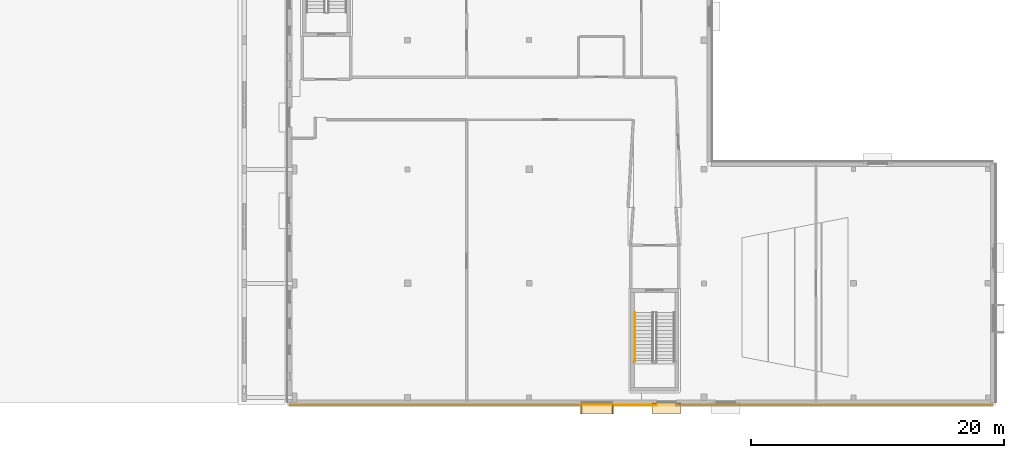
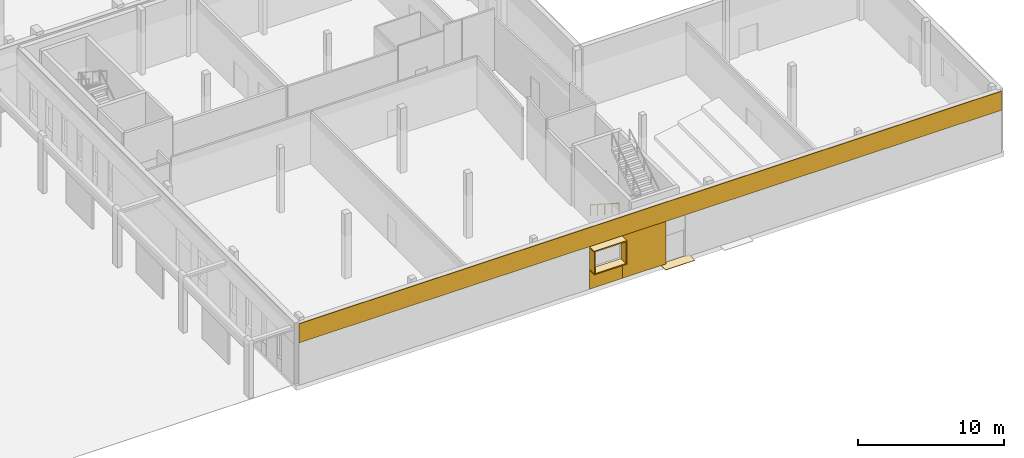
# One storey, part 77 of 84: 8 coverings, 1 railing.
"""IFC4 building model written with IfcOpenShell, lengths in metres."""

from ifc_helpers import new_model, si_unit, direction, frame, origin, origin_2d, place, context, subcontext, project, spatial, rectangle, circle, extrude, material, layer, layer_set, type_object, element, save


model = new_model("IFC4")

# Units and contexts
model_context = context("Model", 3, precision=1e-05, world=origin(), true_north=direction((0.0, 1.0)))
body_context = subcontext(model_context, "Body", "Model", "MODEL_VIEW")
ifc_project = project(units=[si_unit("LENGTHUNIT", "METRE"), si_unit("AREAUNIT", "SQUARE_METRE"), si_unit("VOLUMEUNIT", "CUBIC_METRE"), si_unit("PLANEANGLEUNIT", "RADIAN"), si_unit("MASSUNIT", "GRAM", prefix="KILO")], contexts=[model_context])

# Site, building, storey
site_placement = place(None, origin())
site = spatial("IfcSite", under=ifc_project, at=site_placement, CompositionType="ELEMENT")
building_placement = place(site_placement, origin())
building = spatial("IfcBuilding", under=site, at=building_placement, Name="Mzevani Central Library", CompositionType="ELEMENT")
storey_placement = place(building_placement, origin())
storey = spatial("IfcBuildingStorey", under=building, at=storey_placement, Name="L00", CompositionType="ELEMENT", Elevation=0.0)

# Coverings
ifc_material_1 = material(Name="Limestone ashlar cladding", Category="masonry")
ifc_layer_1 = layer(ifc_material_1, 0.050048828125, Name="Limestone Ashlar Spandrel Cladding")
ifc_layer_set_1 = layer_set([ifc_layer_1], Name="Limestone ashlar cladding")
covering_type_1 = type_object("IfcCoveringType", Name="Limestone Ashlar Spandrel Cladding", PredefinedType="CLADDING", material=ifc_layer_set_1)
for number, where, z_axis, x_axis, name in (
    (1, (136.53955078125, 3.662109375, 3.4501953125), (0.0, 0.0, 1.0), (-1.0, 0.0, 0.0), "L00 Deep Window Reveal HD (REV4-0193)"),
    (2, (136.53955078125, 3.662109375, 1.56005859375), (0.0, 0.0, 1.0), (-1.0, 0.0, 0.0), "L00 Deep Window Reveal SL (REV4-0193)"),
):
    element("IfcCovering", number, at=place(storey_placement, frame(where, z_axis=z_axis, x_axis=x_axis)), inside=storey, type_object=covering_type_1, Name=name, PredefinedType="CLADDING", context=body_context, shape_type="SweptSolid", body=[
        extrude(rectangle(XDim=2.580078125, YDim=0.679931640625, at=origin_2d()), origin(), (0.0, 0.0, 1.0), 0.090087890625),
    ])
for number, where, z_axis, x_axis, name in (
    (3, (137.78466796875, 3.662109375, 1.64990234375), (0.0, 0.0, 1.0), (-1.0, 0.0, 0.0), "L00 Deep Window Reveal JL (REV4-0193)"),
    (4, (135.294677734375, 3.662109375, 1.64990234375), (0.0, 0.0, 1.0), (-1.0, 0.0, 0.0), "L00 Deep Window Reveal JR (REV4-0193)"),
):
    element("IfcCovering", number, at=place(storey_placement, frame(where, z_axis=z_axis, x_axis=x_axis)), inside=storey, type_object=covering_type_1, Name=name, PredefinedType="CLADDING", context=body_context, shape_type="SweptSolid", body=[
        extrude(rectangle(XDim=0.090087890625, YDim=0.679931640625, at=origin_2d()), origin(), (0.0, 0.0, 1.0), 1.800048828125),
    ])
covering_1_placement = place(storey_placement, frame((140.050048828125, 3.97607421875, 3.5498046875), z_axis=(0.0, 0.0, 1.0), x_axis=(-1.0, 0.0, 0.0)))
element("IfcCovering", 5, at=covering_1_placement, inside=storey, type_object=covering_type_1, Name="L00 Warm-White Facade Spandrel (EW4-V6-L00-0101)", PredefinedType="CLADDING", context=body_context, shape_type="SweptSolid", body=[
    extrude(rectangle(XDim=55.47998046875, YDim=0.050048828125, at=origin_2d()), origin(), (0.0, 0.0, 1.0), 1.590087890625),
])
covering_2_placement = place(storey_placement, frame((139.56982421875, 3.97607421875, 0.0), z_axis=(0.0, 0.0, 1.0), x_axis=(-1.0, 0.0, 0.0)))
element("IfcCovering", 6, at=covering_2_placement, inside=storey, type_object=covering_type_1, Name="L00 Warm-White Facade Pier 2 (EW4-V6-L00-0101)", PredefinedType="CLADDING", context=body_context, shape_type="SweptSolid", body=[
    extrude(rectangle(XDim=3.42041015625, YDim=0.050048828125, at=origin_2d()), origin(), (0.0, 0.0, 1.0), 3.550048828125),
])
covering_3_placement = place(storey_placement, frame((136.53955078125, 3.97607421875, 0.0), z_axis=(0.0, 0.0, 1.0), x_axis=(-1.0, 0.0, 0.0)))
element("IfcCovering", 7, at=covering_3_placement, inside=storey, type_object=covering_type_1, Name="L00 Warm-White Sill Cladding 3 (EW4-V6-L00-0101)", PredefinedType="CLADDING", context=body_context, shape_type="SweptSolid", body=[
    extrude(rectangle(XDim=2.60009765625, YDim=0.050048828125, at=origin_2d()), origin(), (0.0, 0.0, 1.0), 1.550048828125),
])

# Railing
ifc_material_2 = material(Name="Brushed stainless steel rail", Category="steel")
railing_type = type_object("IfcRailingType", Name="Stair Wall Handrail 920", PredefinedType="HANDRAIL", material=ifc_material_2)
railing_placement = place(storey_placement, frame((139.550048828125, 11.300048828125, 0.179931640625)))
element("IfcRailing", 8, at=railing_placement, inside=storey, type_object=railing_type, Name="L00 ST-12 stair handrail 1", PredefinedType="HANDRAIL", context=body_context, shape_type="SweptSolid", body=[
    extrude(circle(Radius=0.02392578125, at=origin_2d()), frame((0.0, 0.0, 0.89599609375), z_axis=(0.0, -0.841186985886, 0.540744352514), x_axis=(1.0, 0.0, 0.0)), (0.0, 0.0, 1.0), 4.660400390625),
    extrude(circle(Radius=0.02099609375, at=origin_2d()), origin(), (0.0, 0.0, 1.0), 0.871826171875),
    extrude(circle(Radius=0.02099609375, at=origin_2d()), frame((0.0, -0.97998046875, 0.6298828125)), (0.0, 0.0, 1.0), 0.871826171875),
    extrude(circle(Radius=0.02099609375, at=origin_2d()), frame((0.0, -1.9599609375, 1.260009765625)), (0.0, 0.0, 1.0), 0.871826171875),
    extrude(circle(Radius=0.02099609375, at=origin_2d()), frame((0.0, -2.940185546875, 1.89013671875)), (0.0, 0.0, 1.0), 0.871826171875),
    extrude(circle(Radius=0.02099609375, at=origin_2d()), frame((0.0, -3.920166015625, 2.52001953125)), (0.0, 0.0, 1.0), 0.871826171875),
])

# Covering
ifc_material_3 = material(Name="Terrazzo stone flooring", Category="masonry")
ifc_layer_2 = layer(ifc_material_3, 0.030029296875, Name="Terrazzo Stone Floor Finish")
ifc_layer_set_2 = layer_set([ifc_layer_2], Name="Terrazzo stone flooring")
covering_type_2 = type_object("IfcCoveringType", Name="Terrazzo Stone Floor Finish", PredefinedType="FLOORING", material=ifc_layer_set_2)
covering_4_placement = place(storey_placement, frame((142.050048828125, 3.739990234375, -0.0400390625), z_axis=(0.0, 0.0, 1.0), x_axis=(-1.0, 0.0, 0.0)))
element("IfcCovering", 9, at=covering_4_placement, inside=storey, type_object=covering_type_2, Name="L00 V6 Exterior Entrance Threshold Apron (39)", PredefinedType="FLOORING", context=body_context, shape_type="SweptSolid", body=[
    extrude(rectangle(XDim=2.300048828125, YDim=0.800048828125, at=origin_2d()), origin(), (0.0, 0.0, 1.0), 0.0400390625),
])

save(model, "model.ifc")
